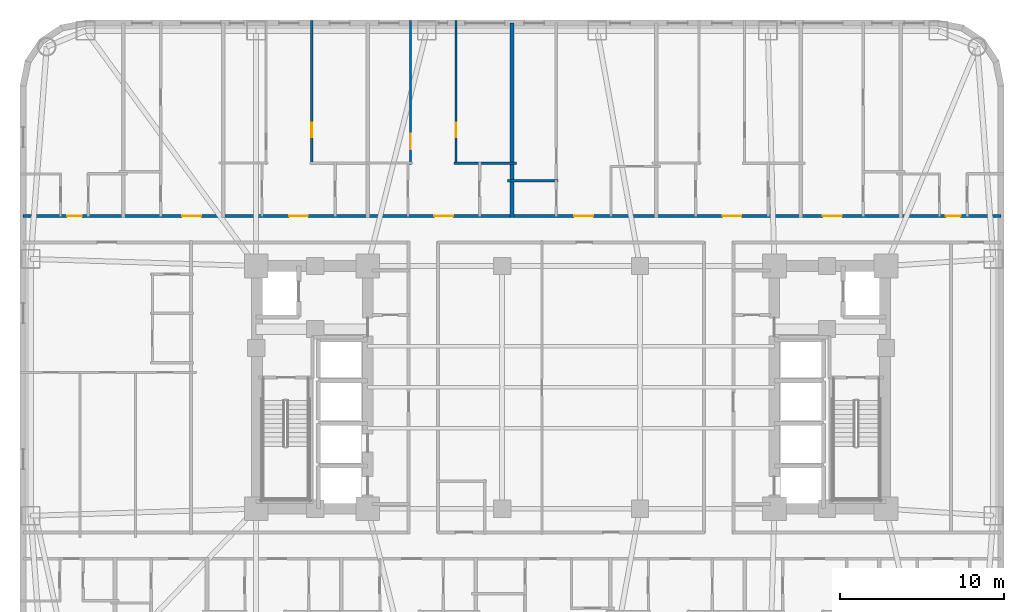
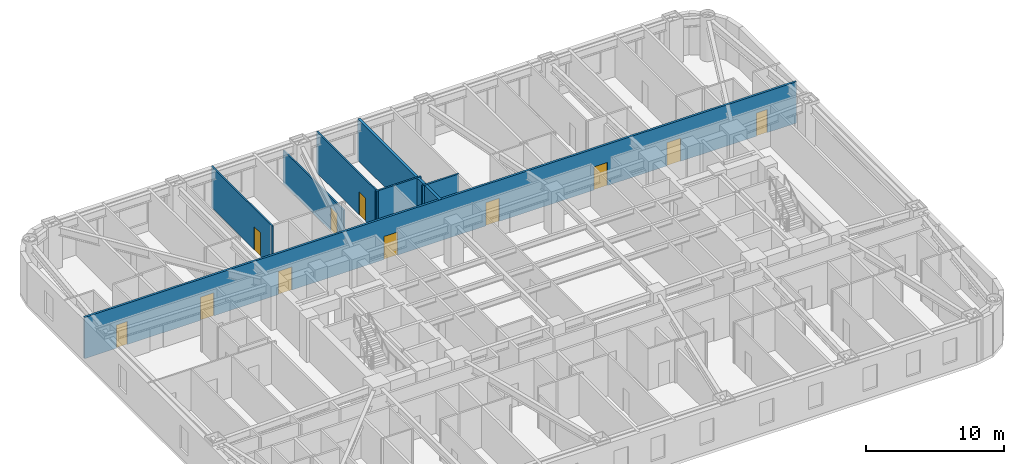
# One storey, part 8 of 12: 11 doors, 7 walls, 11 openings.
"""IFC4 building model written with IfcOpenShell, lengths in metres."""

import ifcopenshell
import ifcopenshell.guid

model = None  # the IFC model being written
_history = None  # IfcOwnerHistory: only IFC2X3 demands one
_inside = {}  # id of a spatial element -> (the spatial element, [elements in it])
_under = {}  # id of a project, library or spatial element -> (it, [spatial elements below it])
_declared = {}  # id of a project -> (the project, [libraries it declares])
_typed = {}  # id of a type object -> (the type object, [elements of that type])
_made_of = {}  # id of a material, layer set ... -> (it, [elements and type objects made of it])


def new_model(schema):
    """Start an empty IFC model of exactly this schema.

    Asked for "IFC4X3", IfcOpenShell would pick the latest addendum, in which some entities
    have other attributes; the version numbers below select the first issue.
    IFC2X3 requires an IfcOwnerHistory on every rooted entity: one is made here for all.
    """
    global model, _history
    if schema == "IFC4X3":
        model = ifcopenshell.file(schema_version=(4, 3, 0, 0))
    else:
        model = ifcopenshell.file(schema=schema)
    _inside.clear()
    _under.clear()
    _declared.clear()
    _typed.clear()
    _made_of.clear()
    _history = None
    if model.schema == "IFC2X3":
        org = make("IfcOrganization", Name="unknown")
        user = make(
            "IfcPersonAndOrganization",
            ThePerson=make("IfcPerson", FamilyName="unknown"),
            TheOrganization=org,
        )
        app = make(
            "IfcApplication",
            ApplicationDeveloper=org,
            Version="unknown",
            ApplicationFullName="unknown",
            ApplicationIdentifier="unknown",
        )
        _history = make(
            "IfcOwnerHistory",
            OwningUser=user,
            OwningApplication=app,
            ChangeAction="ADDED",
            CreationDate=0,
        )
    return model


def make(cls, **values):
    """One entity of the class cls with the attributes given. An attribute that is None is left unset."""
    return model.create_entity(
        cls, **{name: value for name, value in values.items() if value is not None}
    )


def rooted(cls, **values):
    """An entity with a GlobalId (a new one), such as an element, a storey or a relation."""
    return make(cls, GlobalId=ifcopenshell.guid.new(), OwnerHistory=_history, **values)


def si_unit(unit_type, name, prefix=None):
    """IfcSIUnit, for example si_unit("LENGTHUNIT", "METRE", prefix="MILLI")."""
    return make("IfcSIUnit", UnitType=unit_type, Prefix=prefix, Name=name)


def assignment(units):
    """IfcUnitAssignment: the units of a project."""
    return None if units is None else make("IfcUnitAssignment", Units=units)


def point(xyz):
    """IfcCartesianPoint."""
    return None if xyz is None else make("IfcCartesianPoint", Coordinates=xyz)


def direction(xyz):
    """IfcDirection."""
    return None if xyz is None else make("IfcDirection", DirectionRatios=xyz)


def frame(location, z_axis=None, x_axis=None):
    """IfcAxis2Placement3D, a coordinate frame: its origin and axes. An axis left out is left unset."""
    return make(
        "IfcAxis2Placement3D",
        Location=point(location),
        Axis=direction(z_axis),
        RefDirection=direction(x_axis),
    )


def frame_2d(location, x_axis=None):
    """IfcAxis2Placement2D, a coordinate frame in the plane: its origin and x axis."""
    return make(
        "IfcAxis2Placement2D", Location=point(location), RefDirection=direction(x_axis)
    )


def origin():
    """The frame at (0, 0, 0) with its axes left unset."""
    return frame((0.0, 0.0, 0.0))


def place(relative_to, where):
    """IfcLocalPlacement: puts the frame where relative to a parent placement (None: the world)."""
    return make(
        "IfcLocalPlacement", PlacementRelTo=relative_to, RelativePlacement=where
    )


def context(
    kind, dimensions, precision=None, world=None, true_north=None, identifier=None
):
    """IfcGeometricRepresentationContext, for example the 3D "Model" context."""
    return make(
        "IfcGeometricRepresentationContext",
        ContextIdentifier=identifier,
        ContextType=kind,
        CoordinateSpaceDimension=dimensions,
        Precision=precision,
        WorldCoordinateSystem=world,
        TrueNorth=true_north,
    )


def subcontext(parent, identifier, kind, view, scale=None):
    """IfcGeometricRepresentationSubContext, for example "Body" below "Model"."""
    return make(
        "IfcGeometricRepresentationSubContext",
        ContextIdentifier=identifier,
        ContextType=kind,
        ParentContext=parent,
        TargetScale=scale,
        TargetView=view,
    )


def project(units=None, contexts=None):
    """IfcProject with its units and contexts."""
    return rooted(
        "IfcProject",
        Name="project",
        RepresentationContexts=contexts,
        UnitsInContext=assignment(units),
    )


def spatial(cls, under=None, at=None, **own):
    """A site, building, storey or space (cls), placed at a placement, below another one or the project."""
    s = rooted(cls, ObjectPlacement=at, **own)
    if under is not None:
        _under.setdefault(under.id(), (under, []))[1].append(s)
    return s


def profile(cls, at=None, kind="AREA", **sizes):
    """A parametric profile (cls). Its sizes go by their IFC names, for example OverallWidth=200.0."""
    return make(cls, ProfileType=kind, Position=at, **sizes)


def rectangle(**sizes):
    """IfcRectangleProfileDef."""
    return profile("IfcRectangleProfileDef", **sizes)


def extrude(swept, where, along, depth):
    """IfcExtrudedAreaSolid: the profile swept, set in the frame where, extruded along a direction by depth."""
    return make(
        "IfcExtrudedAreaSolid",
        SweptArea=swept,
        Position=where,
        ExtrudedDirection=direction(along),
        Depth=depth,
    )


def shape(context_of_items, identifier, shape_type, items):
    """IfcShapeRepresentation: the items that make up one representation, for example the "Body"."""
    return make(
        "IfcShapeRepresentation",
        ContextOfItems=context_of_items,
        RepresentationIdentifier=identifier,
        RepresentationType=shape_type,
        Items=items,
    )


def material(Name=None, Category=None):
    """IfcMaterial."""
    return make("IfcMaterial", Name=Name, Category=Category)


def layer(
    of_material, thickness, ventilated=None, Name=None, Category=None, Priority=None
):
    """IfcMaterialLayer: one layer of a wall or slab, of a material (None: an air gap)."""
    return make(
        "IfcMaterialLayer",
        Material=of_material,
        LayerThickness=thickness,
        IsVentilated=ventilated,
        Name=Name,
        Category=Category,
        Priority=Priority,
    )


def layer_set(layers, Name=None):
    """IfcMaterialLayerSet."""
    return make("IfcMaterialLayerSet", MaterialLayers=layers, LayerSetName=Name)


def made_of(thing, what):
    """Note that an element or type object is made of a material, layer set ...; save() writes the relation."""
    if what is not None:
        _made_of.setdefault(what.id(), (what, []))[1].append(thing)
    return thing


def type_object(cls, material=None, **own):
    """A type object (cls), such as IfcWallType, which elements share."""
    return made_of(rooted(cls, **own), material)


def element(
    cls,
    number,
    at=None,
    inside=None,
    cuts=None,
    type_object=None,
    material=None,
    context=None,
    identifier="Body",
    shape_type=None,
    held_by="IfcProductDefinitionShape",
    body=None,
    shapes=None,
    **own,
):
    """One element of the class cls, such as IfcWall. Its Tag is "e" and its number.

    at: its placement. inside: the storey or other place that contains it. cuts: it is an
    opening in that element (IfcRelVoidsElement). A single representation is given by context,
    identifier, shape_type and body (its items); several are given by shapes. held_by: the class
    of the entity that holds the representations. save() writes the other relations.
    """
    e = rooted(cls, Tag="e%d" % number, ObjectPlacement=at, **own)
    if body is not None:
        shapes = [shape(context, identifier, shape_type, body)]
    if shapes is not None:
        e.Representation = make(held_by, Representations=shapes)
    if inside is not None:
        _inside.setdefault(inside.id(), (inside, []))[1].append(e)
    if cuts is not None:
        rooted(
            "IfcRelVoidsElement", RelatingBuildingElement=cuts, RelatedOpeningElement=e
        )
    if type_object is not None:
        _typed.setdefault(type_object.id(), (type_object, []))[1].append(e)
    return made_of(e, material)


def fill(opening, filler):
    """IfcRelFillsElement: the door or window that sits in an opening."""
    return rooted(
        "IfcRelFillsElement",
        RelatingOpeningElement=opening,
        RelatedBuildingElement=filler,
    )


def aggregate(whole, parts):
    """IfcRelAggregates: a whole, such as a stair, and the parts it consists of."""
    return rooted("IfcRelAggregates", RelatingObject=whole, RelatedObjects=parts)


def save(model, path):
    """Write the relations noted so far, then the file.

    IfcRelAggregates (storeys below a building ...), IfcRelContainedInSpatialStructure (elements
    in a storey), IfcRelDefinesByType, IfcRelAssociatesMaterial and IfcRelDeclares: one each for
    every whole, place, type object, material and project.
    """
    for whole, parts in _under.values():
        aggregate(whole, parts)
    for where, things in _inside.values():
        rooted(
            "IfcRelContainedInSpatialStructure",
            RelatedElements=things,
            RelatingStructure=where,
        )
    for kind, things in _typed.values():
        rooted("IfcRelDefinesByType", RelatedObjects=things, RelatingType=kind)
    for what, things in _made_of.values():
        rooted("IfcRelAssociatesMaterial", RelatedObjects=things, RelatingMaterial=what)
    for by, libraries in _declared.values():
        rooted("IfcRelDeclares", RelatingContext=by, RelatedDefinitions=libraries)
    model.write(path)


model = new_model("IFC4")

# Units and contexts
model_context = context("Model", 3, precision=1e-05, world=origin(), true_north=direction((0.0, 1.0)))
body_context = subcontext(model_context, "Body", "Model", "MODEL_VIEW")
ifc_project = project(units=[si_unit("LENGTHUNIT", "METRE"), si_unit("AREAUNIT", "SQUARE_METRE"), si_unit("VOLUMEUNIT", "CUBIC_METRE"), si_unit("PLANEANGLEUNIT", "RADIAN"), si_unit("MASSUNIT", "GRAM", prefix="KILO")], contexts=[model_context])

# Site, building, storey
site_placement = place(None, origin())
site = spatial("IfcSite", under=ifc_project, at=site_placement, CompositionType="ELEMENT")
building_placement = place(site_placement, origin())
building = spatial("IfcBuilding", under=site, at=building_placement, Name="Voryun Gate Residences", CompositionType="ELEMENT")
storey_placement = place(building_placement, frame((0.0, 0.0, 72.800048828125)))
storey = spatial("IfcBuildingStorey", under=building, at=storey_placement, Name="L17", CompositionType="ELEMENT", Elevation=72.800048828125)

# Wall, openings, doors
ifc_material_1 = material(Name="Gypsum acoustic fireboard")
ifc_layer_1 = layer(ifc_material_1, 0.179931640625, Name="W_CORR_RATED_180")
ifc_layer_set_1 = layer_set([ifc_layer_1], Name="Gypsum acoustic fireboard")
wall_type_1 = type_object("IfcWallType", Name="W_CORR_RATED_180", PredefinedType="PARTITIONING", material=ifc_layer_set_1)
wall_1_placement = place(storey_placement, frame((-33.409912109375, 10.449951171875, 0.0), z_axis=(0.0, 0.0, 1.0), x_axis=(1.0, 0.0, 0.0)))
wall_1 = element("IfcWall", 1, at=wall_1_placement, inside=storey, type_object=wall_type_1, Name="Partition wall WP-L17-NCORR", PredefinedType="PARTITIONING", context=body_context, shape_type="SweptSolid", body=[
    extrude(rectangle(XDim=59.619873046875, YDim=0.179931640625, at=frame_2d((29.81005859375, 0.0))), origin(), (0.0, 0.0, 1.0), 3.64990234375),
])
opening_1_placement = place(wall_1_placement, frame((2.68603515625, 0.0, 0.0)))
opening_1 = element("IfcOpeningElement", 2, at=opening_1_placement, cuts=wall_1, Name="Opening D-INT-2", PredefinedType="OPENING", context=body_context, shape_type="SweptSolid", body=[
    extrude(rectangle(XDim=0.89990234375, YDim=2.050048828125, at=frame_2d((0.449951171875, 1.02490234375))), frame((0.0, 0.099853515625, 0.0), z_axis=(0.0, -1.0, 0.0), x_axis=(1.0, 0.0, 0.0)), (0.0, 0.0, 1.0), 0.199951171875),
])
opening_2_placement = place(wall_1_placement, frame((9.697509765625, 0.0, 0.0)))
opening_2 = element("IfcOpeningElement", 3, at=opening_2_placement, cuts=wall_1, Name="Opening D-UNIT-1", PredefinedType="OPENING", context=body_context, shape_type="SweptSolid", body=[
    extrude(rectangle(XDim=1.14990234375, YDim=2.050048828125, at=frame_2d((0.574951171875, 1.02490234375))), frame((0.0, 0.099853515625, 0.0), z_axis=(0.0, -1.0, 0.0), x_axis=(1.0, 0.0, 0.0)), (0.0, 0.0, 1.0), 0.199951171875),
])
opening_3_placement = place(wall_1_placement, frame((16.219970703125, 0.0, 0.0)))
opening_3 = element("IfcOpeningElement", 4, at=opening_3_placement, cuts=wall_1, Name="Opening D-UNIT-1", PredefinedType="OPENING", context=body_context, shape_type="SweptSolid", body=[
    extrude(rectangle(XDim=1.14990234375, YDim=2.050048828125, at=frame_2d((0.574951171875, 1.02490234375))), frame((0.0, 0.099853515625, 0.0), z_axis=(0.0, -1.0, 0.0), x_axis=(1.0, 0.0, 0.0)), (0.0, 0.0, 1.0), 0.199951171875),
])
opening_4_placement = place(wall_1_placement, frame((25.073486328125, 0.0, 0.0)))
opening_4 = element("IfcOpeningElement", 5, at=opening_4_placement, cuts=wall_1, Name="Opening D-UNIT-1", PredefinedType="OPENING", context=body_context, shape_type="SweptSolid", body=[
    extrude(rectangle(XDim=1.14990234375, YDim=2.050048828125, at=frame_2d((0.574951171875, 1.02490234375))), frame((0.0, 0.099853515625, 0.0), z_axis=(0.0, -1.0, 0.0), x_axis=(1.0, 0.0, 0.0)), (0.0, 0.0, 1.0), 0.199951171875),
])
opening_5_placement = place(wall_1_placement, frame((33.60498046875, 0.0, 0.0)))
opening_5 = element("IfcOpeningElement", 6, at=opening_5_placement, cuts=wall_1, Name="Opening D-UNIT-1", PredefinedType="OPENING", context=body_context, shape_type="SweptSolid", body=[
    extrude(rectangle(XDim=1.14990234375, YDim=2.050048828125, at=frame_2d((0.574951171875, 1.02490234375))), frame((0.0, 0.099853515625, 0.0), z_axis=(0.0, -1.0, 0.0), x_axis=(1.0, 0.0, 0.0)), (0.0, 0.0, 1.0), 0.199951171875),
])
opening_6_placement = place(wall_1_placement, frame((42.6494140625, 0.0, 0.0)))
opening_6 = element("IfcOpeningElement", 7, at=opening_6_placement, cuts=wall_1, Name="Opening D-UNIT-1", PredefinedType="OPENING", context=body_context, shape_type="SweptSolid", body=[
    extrude(rectangle(XDim=1.14990234375, YDim=2.050048828125, at=frame_2d((0.574951171875, 1.02490234375))), frame((0.0, 0.099853515625, 0.0), z_axis=(0.0, -1.0, 0.0), x_axis=(1.0, 0.0, 0.0)), (0.0, 0.0, 1.0), 0.199951171875),
])
opening_7_placement = place(wall_1_placement, frame((48.7724609375, 0.0, 0.0)))
opening_7 = element("IfcOpeningElement", 8, at=opening_7_placement, cuts=wall_1, Name="Opening D-UNIT-1", PredefinedType="OPENING", context=body_context, shape_type="SweptSolid", body=[
    extrude(rectangle(XDim=1.14990234375, YDim=2.050048828125, at=frame_2d((0.574951171875, 1.02490234375))), frame((0.0, 0.099853515625, 0.0), z_axis=(0.0, -1.0, 0.0), x_axis=(1.0, 0.0, 0.0)), (0.0, 0.0, 1.0), 0.199951171875),
])
opening_8_placement = place(wall_1_placement, frame((56.2724609375, 0.0, 0.0)))
opening_8 = element("IfcOpeningElement", 9, at=opening_8_placement, cuts=wall_1, Name="Opening D-INT-2", PredefinedType="OPENING", context=body_context, shape_type="SweptSolid", body=[
    extrude(rectangle(XDim=0.89990234375, YDim=2.050048828125, at=frame_2d((0.449951171875, 1.02490234375))), frame((0.0, 0.099853515625, 0.0), z_axis=(0.0, -1.0, 0.0), x_axis=(1.0, 0.0, 0.0)), (0.0, 0.0, 1.0), 0.199951171875),
])
ifc_material_2 = material(Name="Architectural oak veneer")
door_type_1 = type_object("IfcDoorType", Name="DR_INT_BATH_900", OperationType="NOTDEFINED", PredefinedType="DOOR", material=ifc_material_2)
door_1_placement = place(opening_1_placement, origin())
door_1 = element("IfcDoor", 10, at=door_1_placement, inside=storey, type_object=door_type_1, Name="Door DR-L17-NENT-1", OperationType="SINGLE_SWING_LEFT", OverallHeight=2.050048828125, OverallWidth=0.89990234375, PredefinedType="DOOR", context=body_context, shape_type="SweptSolid", body=[
    extrude(rectangle(XDim=0.89990234375, YDim=2.050048828125, at=frame_2d((0.449951171875, 1.02490234375))), frame((0.0, 0.02490234375, 0.0), z_axis=(0.0, -1.0, 0.0), x_axis=(1.0, 0.0, 0.0)), (0.0, 0.0, 1.0), 0.050048828125),
])
fill(opening_1, door_1)
door_2_placement = place(opening_8_placement, origin())
door_2 = element("IfcDoor", 11, at=door_2_placement, inside=storey, type_object=door_type_1, Name="Door DR-L17-NENT-8", OperationType="SINGLE_SWING_RIGHT", OverallHeight=2.050048828125, OverallWidth=0.89990234375, PredefinedType="DOOR", context=body_context, shape_type="SweptSolid", body=[
    extrude(rectangle(XDim=0.89990234375, YDim=2.050048828125, at=frame_2d((0.449951171875, 1.02490234375))), frame((0.0, 0.02490234375, 0.0), z_axis=(0.0, -1.0, 0.0), x_axis=(1.0, 0.0, 0.0)), (0.0, 0.0, 1.0), 0.050048828125),
])
fill(opening_8, door_2)
ifc_material_3 = material(Name="Armoured timber-clad fire door", Category="wood")
door_type_2 = type_object("IfcDoorType", Name="DR_UNIT_ENTRY_1150", OperationType="NOTDEFINED", PredefinedType="DOOR", material=ifc_material_3)
door_3_placement = place(opening_2_placement, origin())
door_3 = element("IfcDoor", 12, at=door_3_placement, inside=storey, type_object=door_type_2, Name="Door DR-L17-NENT-2", OperationType="SINGLE_SWING_RIGHT", OverallHeight=2.050048828125, OverallWidth=1.14990234375, PredefinedType="DOOR", context=body_context, shape_type="SweptSolid", body=[
    extrude(rectangle(XDim=1.14990234375, YDim=2.050048828125, at=frame_2d((0.574951171875, 1.02490234375))), frame((0.0, 0.02490234375, 0.0), z_axis=(0.0, -1.0, 0.0), x_axis=(1.0, 0.0, 0.0)), (0.0, 0.0, 1.0), 0.050048828125),
])
fill(opening_2, door_3)
door_4_placement = place(opening_3_placement, origin())
door_4 = element("IfcDoor", 13, at=door_4_placement, inside=storey, type_object=door_type_2, Name="Door DR-L17-NENT-3", OperationType="SINGLE_SWING_LEFT", OverallHeight=2.050048828125, OverallWidth=1.14990234375, PredefinedType="DOOR", context=body_context, shape_type="SweptSolid", body=[
    extrude(rectangle(XDim=1.14990234375, YDim=2.050048828125, at=frame_2d((0.574951171875, 1.02490234375))), frame((0.0, 0.02490234375, 0.0), z_axis=(0.0, -1.0, 0.0), x_axis=(1.0, 0.0, 0.0)), (0.0, 0.0, 1.0), 0.050048828125),
])
fill(opening_3, door_4)
door_5_placement = place(opening_4_placement, origin())
door_5 = element("IfcDoor", 14, at=door_5_placement, inside=storey, type_object=door_type_2, Name="Door DR-L17-NENT-4", OperationType="SINGLE_SWING_RIGHT", OverallHeight=2.050048828125, OverallWidth=1.14990234375, PredefinedType="DOOR", context=body_context, shape_type="SweptSolid", body=[
    extrude(rectangle(XDim=1.14990234375, YDim=2.050048828125, at=frame_2d((0.574951171875, 1.02490234375))), frame((0.0, 0.02490234375, 0.0), z_axis=(0.0, -1.0, 0.0), x_axis=(1.0, 0.0, 0.0)), (0.0, 0.0, 1.0), 0.050048828125),
])
fill(opening_4, door_5)
door_6_placement = place(opening_5_placement, origin())
door_6 = element("IfcDoor", 15, at=door_6_placement, inside=storey, type_object=door_type_2, Name="Door DR-L17-NENT-5", OperationType="SINGLE_SWING_LEFT", OverallHeight=2.050048828125, OverallWidth=1.14990234375, PredefinedType="DOOR", context=body_context, shape_type="SweptSolid", body=[
    extrude(rectangle(XDim=1.14990234375, YDim=2.050048828125, at=frame_2d((0.574951171875, 1.02490234375))), frame((0.0, 0.02490234375, 0.0), z_axis=(0.0, -1.0, 0.0), x_axis=(1.0, 0.0, 0.0)), (0.0, 0.0, 1.0), 0.050048828125),
])
fill(opening_5, door_6)
door_7_placement = place(opening_6_placement, origin())
door_7 = element("IfcDoor", 16, at=door_7_placement, inside=storey, type_object=door_type_2, Name="Door DR-L17-NENT-6", OperationType="SINGLE_SWING_RIGHT", OverallHeight=2.050048828125, OverallWidth=1.14990234375, PredefinedType="DOOR", context=body_context, shape_type="SweptSolid", body=[
    extrude(rectangle(XDim=1.14990234375, YDim=2.050048828125, at=frame_2d((0.574951171875, 1.02490234375))), frame((0.0, 0.02490234375, 0.0), z_axis=(0.0, -1.0, 0.0), x_axis=(1.0, 0.0, 0.0)), (0.0, 0.0, 1.0), 0.050048828125),
])
fill(opening_6, door_7)
door_8_placement = place(opening_7_placement, origin())
door_8 = element("IfcDoor", 17, at=door_8_placement, inside=storey, type_object=door_type_2, Name="Door DR-L17-NENT-7", OperationType="SINGLE_SWING_LEFT", OverallHeight=2.050048828125, OverallWidth=1.14990234375, PredefinedType="DOOR", context=body_context, shape_type="SweptSolid", body=[
    extrude(rectangle(XDim=1.14990234375, YDim=2.050048828125, at=frame_2d((0.574951171875, 1.02490234375))), frame((0.0, 0.02490234375, 0.0), z_axis=(0.0, -1.0, 0.0), x_axis=(1.0, 0.0, 0.0)), (0.0, 0.0, 1.0), 0.050048828125),
])
fill(opening_7, door_8)

# Wall
ifc_material_4 = material(Name="Concrete C40/50", Category="concrete")
ifc_layer_2 = layer(ifc_material_4, 0.219970703125, Name="W_PARTY_ACOUSTIC_220")
ifc_layer_set_2 = layer_set([ifc_layer_2], Name="Concrete C40/50")
wall_type_2 = type_object("IfcWallType", Name="W_PARTY_ACOUSTIC_220", PredefinedType="PARTITIONING", material=ifc_layer_set_2)
wall_2_placement = place(storey_placement, frame((-3.60009765625, 10.3701171875, 0.0), z_axis=(0.0, 0.0, 1.0), x_axis=(0.0, 1.0, 0.0)))
element("IfcWall", 18, at=wall_2_placement, inside=storey, type_object=wall_type_2, Name="Partition wall WP-L17-NPTY-4", PredefinedType="PARTITIONING", context=body_context, shape_type="SweptSolid", body=[
    extrude(rectangle(XDim=11.83984375, YDim=0.219970703125, at=frame_2d((5.919921875, 0.0))), origin(), (0.0, 0.0, 1.0), 3.64990234375),
])

# Wall, opening, door
ifc_material_5 = material(Name="Gypsum acoustic partition")
ifc_layer_3 = layer(ifc_material_5, 0.125, Name="W_UNIT_PART_125")
ifc_layer_set_3 = layer_set([ifc_layer_3], Name="Gypsum acoustic partition")
wall_type_3 = type_object("IfcWallType", Name="W_UNIT_PART_125", PredefinedType="PARTITIONING", material=ifc_layer_set_3)
wall_3_placement = place(storey_placement, frame((-15.81005859375, 13.590087890625, 0.0), z_axis=(0.0, 0.0, 1.0), x_axis=(0.0, 1.0, 0.0)))
wall_3 = element("IfcWall", 19, at=wall_3_placement, inside=storey, type_object=wall_type_3, Name="Partition wall WP-L17-N3-OVR", PredefinedType="PARTITIONING", context=body_context, shape_type="SweptSolid", body=[
    extrude(rectangle(XDim=8.77001953125, YDim=0.125, at=frame_2d((4.385009765625, 0.0))), origin(), (0.0, 0.0, 1.0), 3.64990234375),
])
opening_9_placement = place(wall_3_placement, frame((1.65478515625, 0.0, 0.0)))
opening_9 = element("IfcOpeningElement", 20, at=opening_9_placement, cuts=wall_3, Name="Opening D-INT-2", PredefinedType="OPENING", context=body_context, shape_type="SweptSolid", body=[
    extrude(rectangle(XDim=0.89990234375, YDim=2.050048828125, at=frame_2d((0.449951171875, 1.02490234375))), frame((0.0, 0.072509765625, 0.0), z_axis=(0.0, -1.0, 0.0), x_axis=(1.0, 0.0, 0.0)), (0.0, 0.0, 1.0), 0.14501953125),
])
door_9_placement = place(opening_9_placement, origin())
door_9 = element("IfcDoor", 21, at=door_9_placement, inside=storey, type_object=door_type_1, Name="Door DR-L17-N3-DMB", OperationType="SINGLE_SWING_RIGHT", OverallHeight=2.050048828125, OverallWidth=0.89990234375, PredefinedType="DOOR", context=body_context, shape_type="SweptSolid", body=[
    extrude(rectangle(XDim=0.89990234375, YDim=2.050048828125, at=frame_2d((0.449951171875, 1.02490234375))), frame((0.0, 0.02490234375, 0.0), z_axis=(0.0, -1.0, 0.0), x_axis=(1.0, 0.0, 0.0)), (0.0, 0.0, 1.0), 0.050048828125),
])
fill(opening_9, door_9)

wall_4_placement = place(storey_placement, frame((-9.7900390625, 13.590087890625, 0.0), z_axis=(0.0, 0.0, 1.0), x_axis=(0.0, 1.0, 0.0)))
wall_4 = element("IfcWall", 22, at=wall_4_placement, inside=storey, type_object=wall_type_3, Name="Partition wall WP-L17-N4-OVL", PredefinedType="PARTITIONING", context=body_context, shape_type="SweptSolid", body=[
    extrude(rectangle(XDim=8.77001953125, YDim=0.125, at=frame_2d((4.385009765625, 0.0))), origin(), (0.0, 0.0, 1.0), 2.93994140625),
])
opening_10_placement = place(wall_4_placement, frame((0.92822265625, 0.0, 0.0)))
opening_10 = element("IfcOpeningElement", 23, at=opening_10_placement, cuts=wall_4, Name="Opening D-INT-1", PredefinedType="OPENING", context=body_context, shape_type="SweptSolid", body=[
    extrude(rectangle(XDim=0.949951171875, YDim=2.050048828125, at=frame_2d((0.47509765625, 1.02490234375))), frame((0.0, 0.072509765625, 0.0), z_axis=(0.0, -1.0, 0.0), x_axis=(1.0, 0.0, 0.0)), (0.0, 0.0, 1.0), 0.14501953125),
])
ifc_material_6 = material(Name="Architectural oak veneer")
door_type_3 = type_object("IfcDoorType", Name="DR_INT_ROOM_950", OperationType="NOTDEFINED", PredefinedType="DOOR", material=ifc_material_6)
door_10_placement = place(opening_10_placement, origin())
door_10 = element("IfcDoor", 24, at=door_10_placement, inside=storey, type_object=door_type_3, Name="Door DR-L17-N4-DB2", OperationType="SINGLE_SWING_LEFT", OverallHeight=2.050048828125, OverallWidth=0.949951171875, PredefinedType="DOOR", context=body_context, shape_type="SweptSolid", body=[
    extrude(rectangle(XDim=0.949951171875, YDim=2.050048828125, at=frame_2d((0.47509765625, 1.02490234375))), frame((0.0, 0.02490234375, 0.0), z_axis=(0.0, -1.0, 0.0), x_axis=(1.0, 0.0, 0.0)), (0.0, 0.0, 1.0), 0.050048828125),
])
fill(opening_10, door_10)

wall_5_placement = place(storey_placement, frame((-7.010009765625, 13.590087890625, 0.0), z_axis=(0.0, 0.0, 1.0), x_axis=(0.0, 1.0, 0.0)))
wall_5 = element("IfcWall", 25, at=wall_5_placement, inside=storey, type_object=wall_type_3, Name="Partition wall WP-L17-N4-OVR", PredefinedType="PARTITIONING", context=body_context, shape_type="SweptSolid", body=[
    extrude(rectangle(XDim=8.77001953125, YDim=0.125, at=frame_2d((4.385009765625, 0.0))), origin(), (0.0, 0.0, 1.0), 3.64990234375),
])
opening_11_placement = place(wall_5_placement, frame((1.65478515625, 0.0, 0.0)))
opening_11 = element("IfcOpeningElement", 26, at=opening_11_placement, cuts=wall_5, Name="Opening D-INT-2", PredefinedType="OPENING", context=body_context, shape_type="SweptSolid", body=[
    extrude(rectangle(XDim=0.89990234375, YDim=2.050048828125, at=frame_2d((0.449951171875, 1.02490234375))), frame((0.0, 0.072509765625, 0.0), z_axis=(0.0, -1.0, 0.0), x_axis=(1.0, 0.0, 0.0)), (0.0, 0.0, 1.0), 0.14501953125),
])
door_11_placement = place(opening_11_placement, origin())
door_11 = element("IfcDoor", 27, at=door_11_placement, inside=storey, type_object=door_type_1, Name="Door DR-L17-N4-DMB", OperationType="SINGLE_SWING_RIGHT", OverallHeight=2.050048828125, OverallWidth=0.89990234375, PredefinedType="DOOR", context=body_context, shape_type="SweptSolid", body=[
    extrude(rectangle(XDim=0.89990234375, YDim=2.050048828125, at=frame_2d((0.449951171875, 1.02490234375))), frame((0.0, 0.02490234375, 0.0), z_axis=(0.0, -1.0, 0.0), x_axis=(1.0, 0.0, 0.0)), (0.0, 0.0, 1.0), 0.050048828125),
])
fill(opening_11, door_11)

# Walls
ifc_material_7 = material(Name="Gypsum moisture-resistant partition")
ifc_layer_4 = layer(ifc_material_7, 0.14990234375, Name="W_WET_PLUMB_150")
ifc_layer_set_4 = layer_set([ifc_layer_4], Name="Gypsum moisture-resistant partition")
wall_type_4 = type_object("IfcWallType", Name="W_WET_PLUMB_150", PredefinedType="PLUMBINGWALL", material=ifc_layer_set_4)
wall_6_placement = place(storey_placement, frame((-7.1298828125, 13.669921875, 0.0), z_axis=(0.0, 0.0, 1.0), x_axis=(1.0, 0.0, 0.0)))
element("IfcWall", 28, at=wall_6_placement, inside=storey, type_object=wall_type_4, Name="Partition wall WP-L17-N4-HZB", PredefinedType="PLUMBINGWALL", context=body_context, shape_type="SweptSolid", body=[
    extrude(rectangle(XDim=3.789794921875, YDim=0.14990234375, at=frame_2d((1.89501953125, 0.0))), origin(), (0.0, 0.0, 1.0), 3.64990234375),
])
wall_7_placement = place(storey_placement, frame((-3.860107421875, 12.590087890625, 0.0), z_axis=(0.0, 0.0, 1.0), x_axis=(1.0, 0.0, 0.0)))
element("IfcWall", 29, at=wall_7_placement, inside=storey, type_object=wall_type_4, Name="Partition wall WP-L17-N5-LHY", PredefinedType="PLUMBINGWALL", context=body_context, shape_type="SweptSolid", body=[
    extrude(rectangle(XDim=3.050048828125, YDim=0.14990234375, at=frame_2d((1.52490234375, 0.0))), origin(), (0.0, 0.0, 1.0), 3.64990234375),
])

save(model, "model.ifc")
